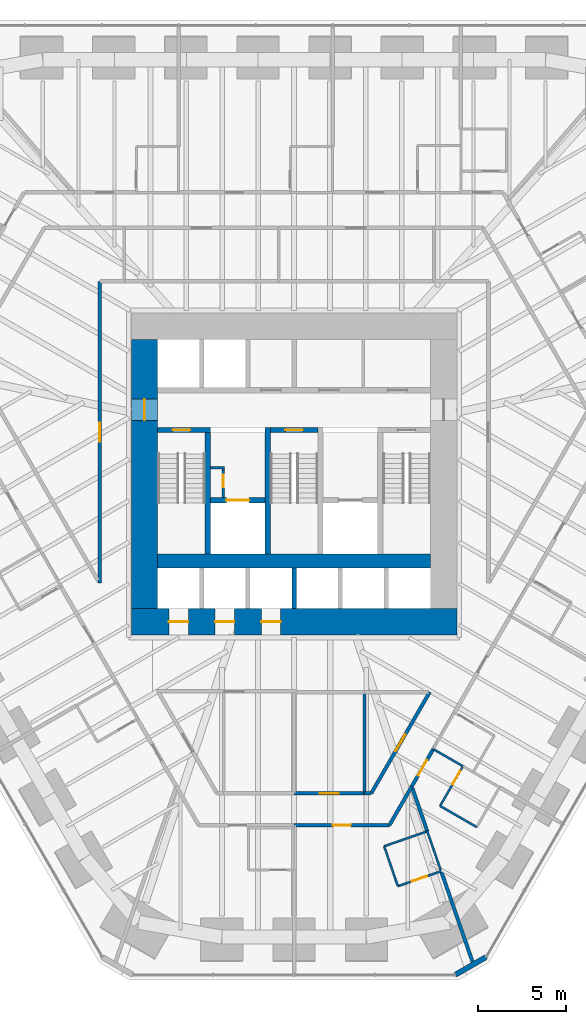
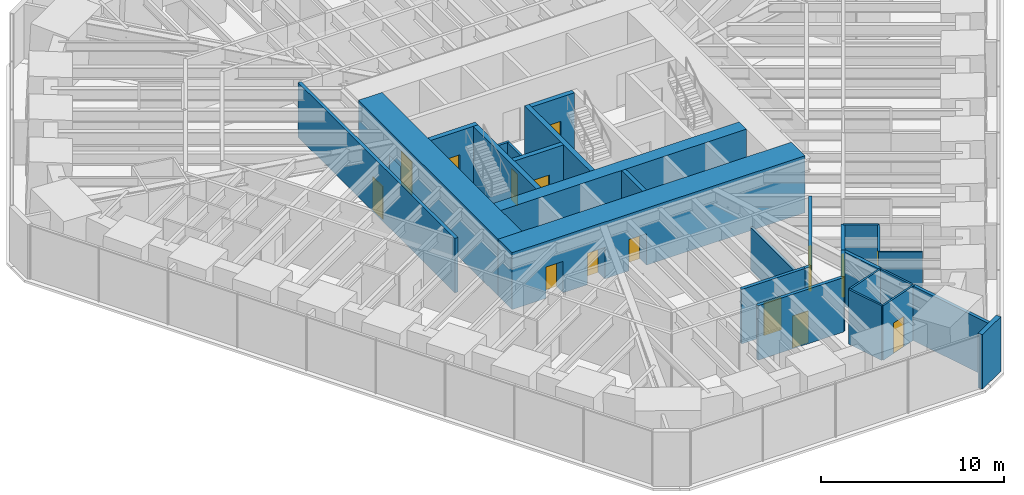
# One storey, part 12 of 17: 29 walls, 15 doors, 15 openings.
"""IFC4 building model written with IfcOpenShell, lengths in metres."""

from ifc_helpers import new_model, si_unit, direction, frame, frame_2d, origin, place, context, subcontext, project, spatial, rectangle, extrude, material, layer, layer_set, type_object, element, fill, save


model = new_model("IFC4")

# Units and contexts
model_context = context("Model", 3, precision=1e-05, world=origin(), true_north=direction((0.0, 1.0)))
body_context = subcontext(model_context, "Body", "Model", "MODEL_VIEW")
ifc_project = project(units=[si_unit("LENGTHUNIT", "METRE"), si_unit("AREAUNIT", "SQUARE_METRE"), si_unit("VOLUMEUNIT", "CUBIC_METRE"), si_unit("PLANEANGLEUNIT", "RADIAN"), si_unit("MASSUNIT", "GRAM", prefix="KILO")], contexts=[model_context])

# Site, building, storey
site_placement = place(None, origin())
site = spatial("IfcSite", under=ifc_project, at=site_placement, CompositionType="ELEMENT")
building_placement = place(site_placement, origin())
building = spatial("IfcBuilding", under=site, at=building_placement, Name="Sandreach Pilgrim Tower", CompositionType="ELEMENT")
storey_placement = place(building_placement, frame((0.0, 0.0, 72.39990234375)))
storey = spatial("IfcBuildingStorey", under=building, at=storey_placement, Name="L17", CompositionType="ELEMENT", Elevation=72.39990234375)

# Walls
ifc_material_1 = material(Name="Gypsum board on steel studs", Category="steel")
ifc_layer_1 = layer(ifc_material_1, 0.14990234375)
ifc_layer_set_1 = layer_set([ifc_layer_1], Name="Back of house wall 150")
wall_type_1 = type_object("IfcWallType", Name="Back of house wall 150", PredefinedType="PARTITIONING", material=ifc_layer_set_1)
wall_1_placement = place(storey_placement, frame((4.0, -13.949951171875, 0.0), z_axis=(0.0, 0.0, 1.0), x_axis=(0.0, -1.0, 0.0)))
element("IfcWall", 1, at=wall_1_placement, inside=storey, type_object=wall_type_1, Name="Back of house wall L17-082", PredefinedType="PARTITIONING", context=body_context, shape_type="SweptSolid", body=[
    extrude(rectangle(XDim=5.760009765625, YDim=0.14990234375, at=frame_2d((2.8798828125, 0.0))), origin(), (0.0, 0.0, 1.0), 2.878173828125),
])
ifc_material_2 = material(Name="Moisture-resistant gypsum board on steel studs", Category="steel")
ifc_layer_2 = layer(ifc_material_2, 0.1201171875)
ifc_layer_set_2 = layer_set([ifc_layer_2], Name="Bathroom partition 120")
wall_type_2 = type_object("IfcWallType", Name="Bathroom partition 120", PredefinedType="PARTITIONING", material=ifc_layer_set_2)
wall_2_placement = place(storey_placement, frame((5.1201171875, -22.7099609375, 0.0), z_axis=(0.0, 0.0, 1.0), x_axis=(0.324880771143, -0.945754981241, 0.0)))
element("IfcWall", 2, at=wall_2_placement, inside=storey, type_object=wall_type_2, Name="Bathroom partition L17-085", PredefinedType="PARTITIONING", context=body_context, shape_type="SweptSolid", body=[
    extrude(rectangle(XDim=2.400146484375, YDim=0.1201171875, at=frame_2d((1.2001953125, 0.0))), origin(), (0.0, 0.0, 1.0), 3.64013671875),
])

# Wall, opening, door
wall_3_placement = place(storey_placement, frame((5.89990234375, -24.97998046875, 0.0), z_axis=(0.0, 0.0, 1.0), x_axis=(0.945165466094, 0.326591857987, 0.0)))
wall_3 = element("IfcWall", 3, at=wall_3_placement, inside=storey, type_object=wall_type_2, Name="Bathroom partition L17-087", PredefinedType="PARTITIONING", context=body_context, shape_type="SweptSolid", body=[
    extrude(rectangle(XDim=2.60302734375, YDim=0.1201171875, at=frame_2d((1.301513671875, 0.0))), origin(), (0.0, 0.0, 1.0), 3.64013671875),
])
opening_1_placement = place(wall_3_placement, frame((0.85009765625, 0.0, 0.0)))
opening_1 = element("IfcOpeningElement", 4, at=opening_1_placement, cuts=wall_3, Name="Opening D09-11B", PredefinedType="OPENING", context=body_context, shape_type="SweptSolid", body=[
    extrude(rectangle(XDim=0.89990234375, YDim=2.030029296875, at=frame_2d((0.449951171875, 1.01513671875))), frame((0.0, 0.06005859375, 0.0), z_axis=(0.0, -1.0, 0.0), x_axis=(1.0, 0.0, 0.0)), (0.0, 0.0, 1.0), 0.1201171875),
])
ifc_material_3 = material(Name="Timber door, steel frame", Category="steel")
door_type_1 = type_object("IfcDoorType", Name="Bathroom door", OperationType="SINGLE_SWING_LEFT", PredefinedType="DOOR", material=ifc_material_3)
door_1_placement = place(opening_1_placement, origin())
door_1 = element("IfcDoor", 5, at=door_1_placement, inside=storey, type_object=door_type_1, Name="Door 1711B", OperationType="SINGLE_SWING_LEFT", OverallHeight=2.030029296875, OverallWidth=0.89990234375, PredefinedType="DOOR", context=body_context, shape_type="SweptSolid", body=[
    extrude(rectangle(XDim=0.89990234375, YDim=2.030029296875, at=frame_2d((0.449951171875, 1.01513671875))), frame((0.0, 0.02490234375, 0.0), z_axis=(0.0, -1.0, 0.0), x_axis=(1.0, 0.0, 0.0)), (0.0, 0.0, 1.0), 0.050048828125),
])
fill(opening_1, door_1)

# Walls
wall_4_placement = place(storey_placement, frame((7.570068359375, -21.860107421875, 0.0), z_axis=(0.0, 0.0, 1.0), x_axis=(-0.944782191137, -0.327698964463, 0.0)))
element("IfcWall", 6, at=wall_4_placement, inside=storey, type_object=wall_type_2, Name="Bathroom partition L17-092", PredefinedType="PARTITIONING", context=body_context, shape_type="SweptSolid", body=[
    extrude(rectangle(XDim=2.593505859375, YDim=0.1201171875, at=frame_2d((1.296875, 0.0))), origin(), (0.0, 0.0, 1.0), 3.64013671875),
])
wall_5_placement = place(storey_placement, frame((7.570068359375, -21.860107421875, 0.0), z_axis=(0.0, 0.0, 1.0), x_axis=(0.327706459026, -0.944779591605, 0.0)))
element("IfcWall", 7, at=wall_5_placement, inside=storey, type_object=wall_type_2, Name="Bathroom partition L17-093", PredefinedType="PARTITIONING", context=body_context, shape_type="SweptSolid", body=[
    extrude(rectangle(XDim=2.349609375, YDim=0.1201171875, at=frame_2d((1.1748046875, 0.0))), origin(), (0.0, 0.0, 1.0), 3.64013671875),
])
wall_6_placement = place(storey_placement, frame((7.909912109375, -17.18994140625, 0.0), z_axis=(0.0, 0.0, 1.0), x_axis=(0.8673242112, -0.497743621421, 0.0)))
element("IfcWall", 8, at=wall_6_placement, inside=storey, type_object=wall_type_2, Name="Bathroom partition L17-096", PredefinedType="PARTITIONING", context=body_context, shape_type="SweptSolid", body=[
    extrude(rectangle(XDim=1.94873046875, YDim=0.1201171875, at=frame_2d((0.974365234375, 0.0))), origin(), (0.0, 0.0, 1.0), 3.64013671875),
])
wall_7_placement = place(storey_placement, frame((8.300048828125, -20.419921875, 0.0), z_axis=(0.0, 0.0, 1.0), x_axis=(0.866177122335, -0.499737123639, 0.0)))
element("IfcWall", 9, at=wall_7_placement, inside=storey, type_object=wall_type_2, Name="Bathroom partition L17-100", PredefinedType="PARTITIONING", context=body_context, shape_type="SweptSolid", body=[
    extrude(rectangle(XDim=2.401123046875, YDim=0.1201171875, at=frame_2d((1.20068359375, 0.0))), origin(), (0.0, 0.0, 1.0), 3.64013671875),
])

# Wall, opening, door
wall_8_placement = place(storey_placement, frame((9.60009765625, -18.159912109375, 0.0), z_axis=(0.0, 0.0, 1.0), x_axis=(-0.498627694264, -0.866816256489, 0.0)))
wall_8 = element("IfcWall", 10, at=wall_8_placement, inside=storey, type_object=wall_type_2, Name="Bathroom partition L17-110", PredefinedType="PARTITIONING", context=body_context, shape_type="SweptSolid", body=[
    extrude(rectangle(XDim=2.607177734375, YDim=0.1201171875, at=frame_2d((1.3037109375, 0.0))), origin(), (0.0, 0.0, 1.0), 3.64013671875),
])
opening_2_placement = place(wall_8_placement, frame((0.300048828125, 0.0, 0.0)))
opening_2 = element("IfcOpeningElement", 11, at=opening_2_placement, cuts=wall_8, Name="Opening D09-10B", PredefinedType="OPENING", context=body_context, shape_type="SweptSolid", body=[
    extrude(rectangle(XDim=0.89990234375, YDim=2.030029296875, at=frame_2d((0.449951171875, 1.01513671875))), frame((0.0, 0.06005859375, 0.0), z_axis=(0.0, -1.0, 0.0), x_axis=(1.0, 0.0, 0.0)), (0.0, 0.0, 1.0), 0.1201171875),
])
door_2_placement = place(opening_2_placement, origin())
door_2 = element("IfcDoor", 12, at=door_2_placement, inside=storey, type_object=door_type_1, Name="Door 1710B", OperationType="SINGLE_SWING_LEFT", OverallHeight=2.030029296875, OverallWidth=0.89990234375, PredefinedType="DOOR", context=body_context, shape_type="SweptSolid", body=[
    extrude(rectangle(XDim=0.89990234375, YDim=2.030029296875, at=frame_2d((0.449951171875, 1.01513671875))), frame((0.0, 0.02490234375, 0.0), z_axis=(0.0, -1.0, 0.0), x_axis=(1.0, 0.0, 0.0)), (0.0, 0.0, 1.0), 0.050048828125),
])
fill(opening_2, door_2)

# Walls
ifc_material_4 = material(Name="Concrete 10000 psi", Category="concrete")
ifc_layer_3 = layer(ifc_material_4, 0.300048828125)
ifc_layer_set_3 = layer_set([ifc_layer_3], Name="Core inner wall 300")
wall_type_3 = type_object("IfcWallType", Name="Core inner wall 300", PredefinedType="SHEAR", material=ifc_layer_set_3)
for number, where, z_axis, x_axis, name in (
    (13, (-4.89990234375, -6.10009765625, 0.0), (0.0, 0.0, 1.0), (0.0, 1.0, 0.0), "Core wall I0 L17"),
    (14, (-1.5, -6.10009765625, 0.0), (0.0, 0.0, 1.0), (0.0, 1.0, 0.0), "Core wall I1 L17"),
):
    element("IfcWall", number, at=place(storey_placement, frame(where, z_axis=z_axis, x_axis=x_axis)), inside=storey, type_object=wall_type_3, Name=name, PredefinedType="SHEAR", context=body_context, shape_type="SweptSolid", body=[
        extrude(rectangle(XDim=7.2001953125, YDim=0.300048828125, at=frame_2d((3.60009765625, 0.0))), origin(), (0.0, 0.0, 1.0), 3.800048828125),
    ])

# Wall, opening, door
wall_9_placement = place(storey_placement, frame((-7.75, 0.949951171875, 0.0), z_axis=(0.0, 0.0, 1.0), x_axis=(1.0, 0.0, 0.0)))
wall_9 = element("IfcWall", 15, at=wall_9_placement, inside=storey, type_object=wall_type_3, Name="Core wall SN1 L17", PredefinedType="SHEAR", context=body_context, shape_type="SweptSolid", body=[
    extrude(rectangle(XDim=3.0, YDim=0.300048828125, at=frame_2d((1.5, 0.0))), origin(), (0.0, 0.0, 1.0), 3.800048828125),
])
opening_3_placement = place(wall_9_placement, frame((0.85009765625, 0.0, 0.0)))
opening_3 = element("IfcOpeningElement", 16, at=opening_3_placement, cuts=wall_9, Name="Opening D10S-ST1", PredefinedType="OPENING", context=body_context, shape_type="SweptSolid", body=[
    extrude(rectangle(XDim=1.0, YDim=2.199951171875, at=frame_2d((0.5, 1.10009765625))), frame((0.0, 0.14990234375, 0.0), z_axis=(0.0, -1.0, 0.0), x_axis=(1.0, 0.0, 0.0)), (0.0, 0.0, 1.0), 0.300048828125),
])
ifc_material_5 = material(Name="Steel door and frame", Category="steel")
door_type_2 = type_object("IfcDoorType", Name="Stair door", OperationType="SINGLE_SWING_LEFT", PredefinedType="DOOR", material=ifc_material_5)
door_3_placement = place(opening_3_placement, origin())
door_3 = element("IfcDoor", 17, at=door_3_placement, inside=storey, type_object=door_type_2, Name="Stair door ST1 L17", OperationType="SINGLE_SWING_LEFT", OverallHeight=2.199951171875, OverallWidth=1.0, PredefinedType="DOOR", context=body_context, shape_type="SweptSolid", body=[
    extrude(rectangle(XDim=1.0, YDim=2.199951171875, at=frame_2d((0.5, 1.10009765625))), frame((0.0, 0.02490234375, 0.0), z_axis=(0.0, -1.0, 0.0), x_axis=(1.0, 0.0, 0.0)), (0.0, 0.0, 1.0), 0.050048828125),
])
fill(opening_3, door_3)

wall_10_placement = place(storey_placement, frame((-1.35009765625, 0.949951171875, 0.0), z_axis=(0.0, 0.0, 1.0), x_axis=(1.0, 0.0, 0.0)))
wall_10 = element("IfcWall", 18, at=wall_10_placement, inside=storey, type_object=wall_type_3, Name="Core wall SN3 L17", PredefinedType="SHEAR", context=body_context, shape_type="SweptSolid", body=[
    extrude(rectangle(XDim=2.7001953125, YDim=0.300048828125, at=frame_2d((1.35009765625, 0.0))), origin(), (0.0, 0.0, 1.0), 3.800048828125),
])
opening_4_placement = place(wall_10_placement, frame((0.85009765625, 0.0, 0.0)))
opening_4 = element("IfcOpeningElement", 19, at=opening_4_placement, cuts=wall_10, Name="Opening D10S-ST3", PredefinedType="OPENING", context=body_context, shape_type="SweptSolid", body=[
    extrude(rectangle(XDim=1.0, YDim=2.199951171875, at=frame_2d((0.5, 1.10009765625))), frame((0.0, 0.14990234375, 0.0), z_axis=(0.0, -1.0, 0.0), x_axis=(1.0, 0.0, 0.0)), (0.0, 0.0, 1.0), 0.300048828125),
])
door_4_placement = place(opening_4_placement, origin())
door_4 = element("IfcDoor", 20, at=door_4_placement, inside=storey, type_object=door_type_2, Name="Stair door ST3 L17", OperationType="SINGLE_SWING_LEFT", OverallHeight=2.199951171875, OverallWidth=1.0, PredefinedType="DOOR", context=body_context, shape_type="SweptSolid", body=[
    extrude(rectangle(XDim=1.0, YDim=2.199951171875, at=frame_2d((0.5, 1.10009765625))), frame((0.0, 0.02490234375, 0.0), z_axis=(0.0, -1.0, 0.0), x_axis=(1.0, 0.0, 0.0)), (0.0, 0.0, 1.0), 0.050048828125),
])
fill(opening_4, door_4)

wall_11_placement = place(storey_placement, frame((-4.75, -3.050048828125, 0.0), z_axis=(0.0, 0.0, 1.0), x_axis=(1.0, 0.0, 0.0)))
wall_11 = element("IfcWall", 21, at=wall_11_placement, inside=storey, type_object=wall_type_3, Name="Core wall FL1 L17", PredefinedType="SHEAR", context=body_context, shape_type="SweptSolid", body=[
    extrude(rectangle(XDim=3.10009765625, YDim=0.300048828125, at=frame_2d((1.550048828125, 0.0))), origin(), (0.0, 0.0, 1.0), 3.800048828125),
])
opening_5_placement = place(wall_11_placement, frame((0.89990234375, 0.0, 0.0)))
opening_5 = element("IfcOpeningElement", 22, at=opening_5_placement, cuts=wall_11, Name="Opening LD13", PredefinedType="OPENING", context=body_context, shape_type="SweptSolid", body=[
    extrude(rectangle(XDim=1.300048828125, YDim=2.10009765625, at=frame_2d((0.64990234375, 1.050048828125))), frame((0.0, 0.14990234375, 0.0), z_axis=(0.0, -1.0, 0.0), x_axis=(1.0, 0.0, 0.0)), (0.0, 0.0, 1.0), 0.300048828125),
])
ifc_material_6 = material(Name="Steel door and frame", Category="steel")
door_type_3 = type_object("IfcDoorType", Name="Fire service lift landing door", OperationType="DOUBLE_DOOR_SLIDING", PredefinedType="DOOR", material=ifc_material_6)
door_5_placement = place(opening_5_placement, origin())
door_5 = element("IfcDoor", 23, at=door_5_placement, inside=storey, type_object=door_type_3, Name="Lift landing door FS1 L17", OperationType="DOUBLE_DOOR_SLIDING", OverallHeight=2.10009765625, OverallWidth=1.300048828125, PredefinedType="DOOR", context=body_context, shape_type="SweptSolid", body=[
    extrude(rectangle(XDim=1.300048828125, YDim=2.10009765625, at=frame_2d((0.64990234375, 1.050048828125))), frame((0.0, 0.02490234375, 0.0), z_axis=(0.0, -1.0, 0.0), x_axis=(1.0, 0.0, 0.0)), (0.0, 0.0, 1.0), 0.050048828125),
])
fill(opening_5, door_5)

# Wall
ifc_material_7 = material(Name="Concrete 10000 psi", Category="concrete")
ifc_layer_4 = layer(ifc_material_7, 0.800048828125)
ifc_layer_set_4 = layer_set([ifc_layer_4], Name="Core mid wall 800")
wall_type_4 = type_object("IfcWallType", Name="Core mid wall 800", PredefinedType="SHEAR", material=ifc_layer_set_4)
wall_12_placement = place(storey_placement, frame((-7.75, -6.5, 0.0), z_axis=(0.0, 0.0, 1.0), x_axis=(1.0, 0.0, 0.0)))
element("IfcWall", 24, at=wall_12_placement, inside=storey, type_object=wall_type_4, Name="Core wall M L17", PredefinedType="SHEAR", context=body_context, shape_type="SweptSolid", body=[
    extrude(rectangle(XDim=15.5, YDim=0.800048828125, at=frame_2d((7.75, 0.0))), origin(), (0.0, 0.0, 1.0), 3.800048828125),
])

# Wall, openings, doors
ifc_material_8 = material(Name="Concrete 10000 psi", Category="concrete")
ifc_layer_5 = layer(ifc_material_8, 1.5)
ifc_layer_set_5 = layer_set([ifc_layer_5], Name="Core wall 1500")
wall_type_5 = type_object("IfcWallType", Name="Core wall 1500", PredefinedType="SHEAR", material=ifc_layer_set_5)
wall_13_placement = place(storey_placement, frame((-9.25, -9.949951171875, 0.0), z_axis=(0.0, 0.0, 1.0), x_axis=(1.0, 0.0, 0.0)))
wall_13 = element("IfcWall", 25, at=wall_13_placement, inside=storey, type_object=wall_type_5, Name="Core wall S L17", PredefinedType="SHEAR", context=body_context, shape_type="SweptSolid", body=[
    extrude(rectangle(XDim=18.5, YDim=1.5, at=frame_2d((9.25, 0.0))), origin(), (0.0, 0.0, 1.0), 3.800048828125),
])
opening_6_placement = place(wall_13_placement, frame((2.137451171875, 0.0, 0.0)))
opening_6 = element("IfcOpeningElement", 26, at=opening_6_placement, cuts=wall_13, Name="Opening LD11", PredefinedType="OPENING", context=body_context, shape_type="SweptSolid", body=[
    extrude(rectangle(XDim=1.10009765625, YDim=2.10009765625, at=frame_2d((0.550048828125, 1.050048828125))), frame((0.0, 0.75, 0.0), z_axis=(0.0, -1.0, 0.0), x_axis=(1.0, 0.0, 0.0)), (0.0, 0.0, 1.0), 1.5),
])
opening_7_placement = place(wall_13_placement, frame((4.762451171875, 0.0, 0.0)))
opening_7 = element("IfcOpeningElement", 27, at=opening_7_placement, cuts=wall_13, Name="Opening LD11", PredefinedType="OPENING", context=body_context, shape_type="SweptSolid", body=[
    extrude(rectangle(XDim=1.10009765625, YDim=2.10009765625, at=frame_2d((0.550048828125, 1.050048828125))), frame((0.0, 0.75, 0.0), z_axis=(0.0, -1.0, 0.0), x_axis=(1.0, 0.0, 0.0)), (0.0, 0.0, 1.0), 1.5),
])
opening_8_placement = place(wall_13_placement, frame((7.387451171875, 0.0, 0.0)))
opening_8 = element("IfcOpeningElement", 28, at=opening_8_placement, cuts=wall_13, Name="Opening LD11", PredefinedType="OPENING", context=body_context, shape_type="SweptSolid", body=[
    extrude(rectangle(XDim=1.10009765625, YDim=2.10009765625, at=frame_2d((0.550048828125, 1.050048828125))), frame((0.0, 0.75, 0.0), z_axis=(0.0, -1.0, 0.0), x_axis=(1.0, 0.0, 0.0)), (0.0, 0.0, 1.0), 1.5),
])
ifc_material_9 = material(Name="Steel door and frame", Category="steel")
door_type_4 = type_object("IfcDoorType", Name="Lift landing door", OperationType="DOUBLE_DOOR_SLIDING", PredefinedType="DOOR", material=ifc_material_9)
door_6_placement = place(opening_6_placement, origin())
door_6 = element("IfcDoor", 29, at=door_6_placement, inside=storey, type_object=door_type_4, Name="Lift landing door Z1A L17", OperationType="DOUBLE_DOOR_SLIDING", OverallHeight=2.10009765625, OverallWidth=1.10009765625, PredefinedType="DOOR", context=body_context, shape_type="SweptSolid", body=[
    extrude(rectangle(XDim=1.10009765625, YDim=2.10009765625, at=frame_2d((0.550048828125, 1.050048828125))), frame((0.0, 0.02490234375, 0.0), z_axis=(0.0, -1.0, 0.0), x_axis=(1.0, 0.0, 0.0)), (0.0, 0.0, 1.0), 0.050048828125),
])
fill(opening_6, door_6)
door_7_placement = place(opening_7_placement, origin())
door_7 = element("IfcDoor", 30, at=door_7_placement, inside=storey, type_object=door_type_4, Name="Lift landing door Z1B L17", OperationType="DOUBLE_DOOR_SLIDING", OverallHeight=2.10009765625, OverallWidth=1.10009765625, PredefinedType="DOOR", context=body_context, shape_type="SweptSolid", body=[
    extrude(rectangle(XDim=1.10009765625, YDim=2.10009765625, at=frame_2d((0.550048828125, 1.050048828125))), frame((0.0, 0.02490234375, 0.0), z_axis=(0.0, -1.0, 0.0), x_axis=(1.0, 0.0, 0.0)), (0.0, 0.0, 1.0), 0.050048828125),
])
fill(opening_7, door_7)
door_8_placement = place(opening_8_placement, origin())
door_8 = element("IfcDoor", 31, at=door_8_placement, inside=storey, type_object=door_type_4, Name="Lift landing door Z1C L17", OperationType="DOUBLE_DOOR_SLIDING", OverallHeight=2.10009765625, OverallWidth=1.10009765625, PredefinedType="DOOR", context=body_context, shape_type="SweptSolid", body=[
    extrude(rectangle(XDim=1.10009765625, YDim=2.10009765625, at=frame_2d((0.550048828125, 1.050048828125))), frame((0.0, 0.02490234375, 0.0), z_axis=(0.0, -1.0, 0.0), x_axis=(1.0, 0.0, 0.0)), (0.0, 0.0, 1.0), 0.050048828125),
])
fill(opening_8, door_8)

# Wall, opening, door
wall_14_placement = place(storey_placement, frame((-8.5, -9.199951171875, 0.0), z_axis=(0.0, 0.0, 1.0), x_axis=(0.0, 1.0, 0.0)))
wall_14 = element("IfcWall", 32, at=wall_14_placement, inside=storey, type_object=wall_type_5, Name="Core wall W L17", PredefinedType="SHEAR", context=body_context, shape_type="SweptSolid", body=[
    extrude(rectangle(XDim=15.300048828125, YDim=1.5, at=frame_2d((7.64990234375, 0.0))), origin(), (0.0, 0.0, 1.0), 3.800048828125),
])
opening_9_placement = place(wall_14_placement, frame((10.699951171875, 0.0, 0.0)))
opening_9 = element("IfcOpeningElement", 33, at=opening_9_placement, cuts=wall_14, Name="Opening D12F-W", PredefinedType="OPENING", context=body_context, shape_type="SweptSolid", body=[
    extrude(rectangle(XDim=1.199951171875, YDim=2.199951171875, at=frame_2d((0.60009765625, 1.10009765625))), frame((0.0, 0.75, 0.0), z_axis=(0.0, -1.0, 0.0), x_axis=(1.0, 0.0, 0.0)), (0.0, 0.0, 1.0), 1.5),
])
ifc_material_10 = material(Name="Steel door and frame", Category="steel")
door_type_5 = type_object("IfcDoorType", Name="Fire lobby door", OperationType="SINGLE_SWING_LEFT", PredefinedType="DOOR", material=ifc_material_10)
door_9_placement = place(opening_9_placement, origin())
door_9 = element("IfcDoor", 34, at=door_9_placement, inside=storey, type_object=door_type_5, Name="Fire service lobby door W L17", OperationType="SINGLE_SWING_RIGHT", OverallHeight=2.199951171875, OverallWidth=1.199951171875, PredefinedType="DOOR", context=body_context, shape_type="SweptSolid", body=[
    extrude(rectangle(XDim=1.199951171875, YDim=2.199951171875, at=frame_2d((0.60009765625, 1.10009765625))), frame((0.0, 0.02490234375, 0.0), z_axis=(0.0, -1.0, 0.0), x_axis=(1.0, 0.0, 0.0)), (0.0, 0.0, 1.0), 0.050048828125),
])
fill(opening_9, door_9)

ifc_material_11 = material(Name="Gypsum board on steel studs, two layers each side", Category="steel")
ifc_layer_6 = layer(ifc_material_11, 0.199951171875)
ifc_layer_set_6 = layer_set([ifc_layer_6], Name="Corridor wall 200")
wall_type_6 = type_object("IfcWallType", Name="Corridor wall 200", PredefinedType="PARTITIONING", material=ifc_layer_set_6)
wall_15_placement = place(storey_placement, frame((-11.050048828125, 9.39990234375, 0.0), z_axis=(0.0, 0.0, 1.0), x_axis=(0.0, -1.0, 0.0)))
wall_15 = element("IfcWall", 35, at=wall_15_placement, inside=storey, type_object=wall_type_6, Name="Corridor wall L17-043", PredefinedType="PARTITIONING", context=body_context, shape_type="SweptSolid", body=[
    extrude(rectangle(XDim=17.159912109375, YDim=0.199951171875, at=frame_2d((8.580078125, 0.0))), origin(), (0.0, 0.0, 1.0), 3.64013671875),
])
opening_10_placement = place(wall_15_placement, frame((8.030029296875, 0.0, 0.0)))
opening_10 = element("IfcOpeningElement", 36, at=opening_10_placement, cuts=wall_15, Name="Opening D11H-M01", PredefinedType="OPENING", context=body_context, shape_type="SweptSolid", body=[
    extrude(rectangle(XDim=1.10009765625, YDim=2.199951171875, at=frame_2d((0.550048828125, 1.10009765625))), frame((0.0, 0.10009765625, 0.0), z_axis=(0.0, -1.0, 0.0), x_axis=(1.0, 0.0, 0.0)), (0.0, 0.0, 1.0), 0.199951171875),
])
ifc_material_12 = material(Name="Steel door and frame", Category="steel")
door_type_6 = type_object("IfcDoorType", Name="Back of house door", OperationType="SINGLE_SWING_LEFT", PredefinedType="DOOR", material=ifc_material_12)
door_10_placement = place(opening_10_placement, origin())
door_10 = element("IfcDoor", 37, at=door_10_placement, inside=storey, type_object=door_type_6, Name="Door 17M01", OperationType="SINGLE_SWING_LEFT", OverallHeight=2.199951171875, OverallWidth=1.10009765625, PredefinedType="DOOR", context=body_context, shape_type="SweptSolid", body=[
    extrude(rectangle(XDim=1.10009765625, YDim=2.199951171875, at=frame_2d((0.550048828125, 1.10009765625))), frame((0.0, 0.02490234375, 0.0), z_axis=(0.0, -1.0, 0.0), x_axis=(1.0, 0.0, 0.0)), (0.0, 0.0, 1.0), 0.050048828125),
])
fill(opening_10, door_10)

wall_16_placement = place(storey_placement, frame((0.0, -21.510009765625, 0.0), z_axis=(0.0, 0.0, 1.0), x_axis=(1.0, 0.0, 0.0)))
wall_16 = element("IfcWall", 38, at=wall_16_placement, inside=storey, type_object=wall_type_6, Name="Corridor wall L17-072", PredefinedType="PARTITIONING", context=body_context, shape_type="SweptSolid", body=[
    extrude(rectangle(XDim=5.419921875, YDim=0.199951171875, at=frame_2d((2.7099609375, 0.0))), origin(), (0.0, 0.0, 1.0), 3.64013671875),
])
opening_11_placement = place(wall_16_placement, frame((2.2099609375, 0.0, 0.0)))
opening_11 = element("IfcOpeningElement", 39, at=opening_11_placement, cuts=wall_16, Name="Opening D10-11", PredefinedType="OPENING", context=body_context, shape_type="SweptSolid", body=[
    extrude(rectangle(XDim=1.0, YDim=2.1298828125, at=frame_2d((0.5, 1.06494140625))), frame((0.0, 0.10009765625, 0.0), z_axis=(0.0, -1.0, 0.0), x_axis=(1.0, 0.0, 0.0)), (0.0, 0.0, 1.0), 0.199951171875),
])
ifc_material_13 = material(Name="Steel door and frame", Category="steel")
door_type_7 = type_object("IfcDoorType", Name="Guest room entry door", OperationType="SINGLE_SWING_LEFT", PredefinedType="DOOR", material=ifc_material_13)
door_11_placement = place(opening_11_placement, origin())
door_11 = element("IfcDoor", 40, at=door_11_placement, inside=storey, type_object=door_type_7, Name="Door 1711", OperationType="SINGLE_SWING_LEFT", OverallHeight=2.1298828125, OverallWidth=1.0, PredefinedType="DOOR", context=body_context, shape_type="SweptSolid", body=[
    extrude(rectangle(XDim=1.0, YDim=2.1298828125, at=frame_2d((0.5, 1.06494140625))), frame((0.0, 0.02490234375, 0.0), z_axis=(0.0, -1.0, 0.0), x_axis=(1.0, 0.0, 0.0)), (0.0, 0.0, 1.0), 0.050048828125),
])
fill(opening_11, door_11)

wall_17_placement = place(storey_placement, frame((4.0, -19.7099609375, 0.0), z_axis=(0.0, 0.0, 1.0), x_axis=(-1.0, 0.0, 0.0)))
wall_17 = element("IfcWall", 41, at=wall_17_placement, inside=storey, type_object=wall_type_6, Name="Corridor wall L17-081", PredefinedType="PARTITIONING", context=body_context, shape_type="SweptSolid", body=[
    extrude(rectangle(XDim=4.0, YDim=0.199951171875, at=frame_2d((2.0, 0.0))), origin(), (0.0, 0.0, 1.0), 3.64013671875),
])
opening_12_placement = place(wall_17_placement, frame((1.449951171875, 0.0, 0.0)))
opening_12 = element("IfcOpeningElement", 42, at=opening_12_placement, cuts=wall_17, Name="Opening D11H-S3", PredefinedType="OPENING", context=body_context, shape_type="SweptSolid", body=[
    extrude(rectangle(XDim=1.10009765625, YDim=2.199951171875, at=frame_2d((0.550048828125, 1.10009765625))), frame((0.0, 0.10009765625, 0.0), z_axis=(0.0, -1.0, 0.0), x_axis=(1.0, 0.0, 0.0)), (0.0, 0.0, 1.0), 0.199951171875),
])
door_12_placement = place(opening_12_placement, origin())
door_12 = element("IfcDoor", 43, at=door_12_placement, inside=storey, type_object=door_type_6, Name="Door 17S3", OperationType="SINGLE_SWING_LEFT", OverallHeight=2.199951171875, OverallWidth=1.10009765625, PredefinedType="DOOR", context=body_context, shape_type="SweptSolid", body=[
    extrude(rectangle(XDim=1.10009765625, YDim=2.199951171875, at=frame_2d((0.550048828125, 1.10009765625))), frame((0.0, 0.02490234375, 0.0), z_axis=(0.0, -1.0, 0.0), x_axis=(1.0, 0.0, 0.0)), (0.0, 0.0, 1.0), 0.050048828125),
])
fill(opening_12, door_12)

# Walls
wall_18_placement = place(storey_placement, frame((4.3798828125, -19.7099609375, 0.0), z_axis=(0.0, 0.0, 1.0), x_axis=(-1.0, 0.0, 0.0)))
element("IfcWall", 44, at=wall_18_placement, inside=storey, type_object=wall_type_6, Name="Corridor wall L17-084", PredefinedType="PARTITIONING", context=body_context, shape_type="SweptSolid", body=[
    extrude(rectangle(XDim=0.3798828125, YDim=0.199951171875, at=frame_2d((0.18994140625, 0.0))), origin(), (0.0, 0.0, 1.0), 3.64013671875),
])
wall_19_placement = place(storey_placement, frame((5.419921875, -21.510009765625, 0.0), z_axis=(0.0, 0.0, 1.0), x_axis=(0.499963722229, 0.866046347752, 0.0)))
element("IfcWall", 45, at=wall_19_placement, inside=storey, type_object=wall_type_6, Name="Corridor wall L17-086", PredefinedType="PARTITIONING", context=body_context, shape_type="SweptSolid", body=[
    extrude(rectangle(XDim=2.540283203125, YDim=0.199951171875, at=frame_2d((1.27001953125, 0.0))), origin(), (0.0, 0.0, 1.0), 3.64013671875),
])

# Wall, opening, door
wall_20_placement = place(storey_placement, frame((6.68994140625, -19.31005859375, 0.0), z_axis=(0.0, 0.0, 1.0), x_axis=(0.498748634132, 0.866746675766, 0.0)))
wall_20 = element("IfcWall", 46, at=wall_20_placement, inside=storey, type_object=wall_type_6, Name="Corridor wall L17-088", PredefinedType="PARTITIONING", context=body_context, shape_type="SweptSolid", body=[
    extrude(rectangle(XDim=2.446044921875, YDim=0.199951171875, at=frame_2d((1.22314453125, 0.0))), origin(), (0.0, 0.0, 1.0), 3.64013671875),
])
opening_13_placement = place(wall_20_placement, frame((0.722900390625, 0.0, 0.0)))
opening_13 = element("IfcOpeningElement", 47, at=opening_13_placement, cuts=wall_20, Name="Opening D10-10", PredefinedType="OPENING", context=body_context, shape_type="SweptSolid", body=[
    extrude(rectangle(XDim=1.0, YDim=2.1298828125, at=frame_2d((0.5, 1.06494140625))), frame((0.0, 0.10009765625, 0.0), z_axis=(0.0, -1.0, 0.0), x_axis=(1.0, 0.0, 0.0)), (0.0, 0.0, 1.0), 0.199951171875),
])
door_13_placement = place(opening_13_placement, origin())
door_13 = element("IfcDoor", 48, at=door_13_placement, inside=storey, type_object=door_type_7, Name="Door 1710", OperationType="SINGLE_SWING_LEFT", OverallHeight=2.1298828125, OverallWidth=1.0, PredefinedType="DOOR", context=body_context, shape_type="SweptSolid", body=[
    extrude(rectangle(XDim=1.0, YDim=2.1298828125, at=frame_2d((0.5, 1.06494140625))), frame((0.0, 0.02490234375, 0.0), z_axis=(0.0, -1.0, 0.0), x_axis=(1.0, 0.0, 0.0)), (0.0, 0.0, 1.0), 0.050048828125),
])
fill(opening_13, door_13)

wall_21_placement = place(storey_placement, frame((7.7099609375, -13.949951171875, 0.0), z_axis=(0.0, 0.0, 1.0), x_axis=(-0.500511113963, -0.865730110831, 0.0)))
wall_21 = element("IfcWall", 49, at=wall_21_placement, inside=storey, type_object=wall_type_6, Name="Corridor wall L17-094", PredefinedType="PARTITIONING", context=body_context, shape_type="SweptSolid", body=[
    extrude(rectangle(XDim=6.6533203125, YDim=0.199951171875, at=frame_2d((3.32666015625, 0.0))), origin(), (0.0, 0.0, 1.0), 3.64013671875),
])
opening_14_placement = place(wall_21_placement, frame((2.776611328125, 0.0, 0.0)))
opening_14 = element("IfcOpeningElement", 50, at=opening_14_placement, cuts=wall_21, Name="Opening D11H-S4", PredefinedType="OPENING", context=body_context, shape_type="SweptSolid", body=[
    extrude(rectangle(XDim=1.10009765625, YDim=2.199951171875, at=frame_2d((0.550048828125, 1.10009765625))), frame((0.0, 0.10009765625, 0.0), z_axis=(0.0, -1.0, 0.0), x_axis=(1.0, 0.0, 0.0)), (0.0, 0.0, 1.0), 0.199951171875),
])
door_14_placement = place(opening_14_placement, origin())
door_14 = element("IfcDoor", 51, at=door_14_placement, inside=storey, type_object=door_type_6, Name="Door 17S4", OperationType="SINGLE_SWING_LEFT", OverallHeight=2.199951171875, OverallWidth=1.10009765625, PredefinedType="DOOR", context=body_context, shape_type="SweptSolid", body=[
    extrude(rectangle(XDim=1.10009765625, YDim=2.199951171875, at=frame_2d((0.550048828125, 1.10009765625))), frame((0.0, 0.02490234375, 0.0), z_axis=(0.0, -1.0, 0.0), x_axis=(1.0, 0.0, 0.0)), (0.0, 0.0, 1.0), 0.050048828125),
])
fill(opening_14, door_14)

# Walls
ifc_material_14 = material(Name="Double steel stud acoustic wall, gypsum board", Category="steel")
ifc_layer_7 = layer(ifc_material_14, 0.199951171875)
ifc_layer_set_7 = layer_set([ifc_layer_7], Name="Party wall 200")
wall_type_7 = type_object("IfcWallType", Name="Party wall 200", PredefinedType="PARTITIONING", material=ifc_layer_set_7)
wall_22_placement = place(storey_placement, frame((6.724365234375, -19.4091796875, 0.0), z_axis=(0.0, 0.0, 1.0), x_axis=(0.326182205696, -0.945306917719, 0.0)))
element("IfcWall", 52, at=wall_22_placement, inside=storey, type_object=wall_type_7, Name="Party wall L17-089", PredefinedType="PARTITIONING", context=body_context, shape_type="SweptSolid", body=[
    extrude(rectangle(XDim=2.5927734375, YDim=0.199951171875, at=frame_2d((1.29638671875, 0.0))), origin(), (0.0, 0.0, 1.0), 3.64013671875),
])
wall_23_placement = place(storey_placement, frame((8.360107421875, -24.1298828125, 0.0), z_axis=(0.0, 0.0, 1.0), x_axis=(0.327332811485, -0.944909112309, 0.0)))
element("IfcWall", 53, at=wall_23_placement, inside=storey, type_object=wall_type_7, Name="Party wall L17-101", PredefinedType="PARTITIONING", context=body_context, shape_type="SweptSolid", body=[
    extrude(rectangle(XDim=5.621337890625, YDim=0.199951171875, at=frame_2d((2.810546875, 0.0))), origin(), (0.0, 0.0, 1.0), 3.64013671875),
])

# Wall, opening, door
ifc_material_15 = material(Name="Gypsum shaft wall on steel studs, shaft liner board", Category="steel")
ifc_layer_8 = layer(ifc_material_15, 0.14990234375)
ifc_layer_set_8 = layer_set([ifc_layer_8], Name="Riser shaft wall 150")
wall_type_8 = type_object("IfcWallType", Name="Riser shaft wall 150", PredefinedType="PARTITIONING", material=ifc_layer_set_8)
wall_24_placement = place(storey_placement, frame((-4.02490234375, -2.89990234375, 0.0), z_axis=(0.0, 0.0, 1.0), x_axis=(0.0, 1.0, 0.0)))
wall_24 = element("IfcWall", 54, at=wall_24_placement, inside=storey, type_object=wall_type_8, Name="Riser partition L17 side", PredefinedType="PARTITIONING", context=body_context, shape_type="SweptSolid", body=[
    extrude(rectangle(XDim=1.77490234375, YDim=0.14990234375, at=frame_2d((0.887451171875, 0.0))), origin(), (0.0, 0.0, 1.0), 3.64013671875),
])
opening_15_placement = place(wall_24_placement, frame((0.60009765625, 0.0, 0.0)))
opening_15 = element("IfcOpeningElement", 55, at=opening_15_placement, cuts=wall_24, Name="Opening D07R", PredefinedType="OPENING", context=body_context, shape_type="SweptSolid", body=[
    extrude(rectangle(XDim=0.699951171875, YDim=2.10009765625, at=frame_2d((0.35009765625, 1.050048828125))), frame((0.0, 0.074951171875, 0.0), z_axis=(0.0, -1.0, 0.0), x_axis=(1.0, 0.0, 0.0)), (0.0, 0.0, 1.0), 0.14990234375),
])
ifc_material_16 = material(Name="Steel door and frame, smoke seals", Category="steel")
door_type_8 = type_object("IfcDoorType", Name="Riser access door", OperationType="SINGLE_SWING_RIGHT", PredefinedType="DOOR", material=ifc_material_16)
door_15_placement = place(opening_15_placement, origin())
door_15 = element("IfcDoor", 56, at=door_15_placement, inside=storey, type_object=door_type_8, Name="Door riser 17ER", OperationType="SINGLE_SWING_RIGHT", OverallHeight=2.10009765625, OverallWidth=0.699951171875, PredefinedType="DOOR", context=body_context, shape_type="SweptSolid", body=[
    extrude(rectangle(XDim=0.699951171875, YDim=2.10009765625, at=frame_2d((0.35009765625, 1.050048828125))), frame((0.0, 0.02490234375, 0.0), z_axis=(0.0, -1.0, 0.0), x_axis=(1.0, 0.0, 0.0)), (0.0, 0.0, 1.0), 0.050048828125),
])
fill(opening_15, door_15)

# Walls
wall_25_placement = place(storey_placement, frame((-4.75, -1.199951171875, 0.0), z_axis=(0.0, 0.0, 1.0), x_axis=(1.0, 0.0, 0.0)))
element("IfcWall", 57, at=wall_25_placement, inside=storey, type_object=wall_type_8, Name="Riser partition L17 front", PredefinedType="PARTITIONING", context=body_context, shape_type="SweptSolid", body=[
    extrude(rectangle(XDim=0.800048828125, YDim=0.14990234375, at=frame_2d((0.39990234375, 0.0))), origin(), (0.0, 0.0, 1.0), 3.64013671875),
])
ifc_material_17 = material(Name="Gypsum shaft wall on steel studs, two layers of shaft liner board", Category="steel")
ifc_layer_9 = layer(ifc_material_17, 0.25)
ifc_layer_set_9 = layer_set([ifc_layer_9], Name="Shaft partition 250")
wall_type_9 = type_object("IfcWallType", Name="Shaft partition 250", PredefinedType="PARTITIONING", material=ifc_layer_set_9)
wall_26_placement = place(storey_placement, frame((0.0, -9.199951171875, 0.0), z_axis=(0.0, 0.0, 1.0), x_axis=(0.0, 1.0, 0.0)))
element("IfcWall", 58, at=wall_26_placement, inside=storey, type_object=wall_type_9, Name="Shaft partition XS2 L17", PredefinedType="PARTITIONING", context=body_context, shape_type="SweptSolid", body=[
    extrude(rectangle(XDim=2.300048828125, YDim=0.25, at=frame_2d((1.14990234375, 0.0))), origin(), (0.0, 0.0, 1.0), 3.800048828125),
])
ifc_material_18 = material(Name="Terracotta rainscreen on concrete", Category="masonry")
ifc_layer_10 = layer(ifc_material_18, 0.300048828125)
ifc_layer_set_10 = layer_set([ifc_layer_10], Name="Terracotta chamfer pier")
wall_type_10 = type_object("IfcWallType", Name="Terracotta chamfer pier", PredefinedType="SOLIDWALL", material=ifc_layer_set_10)
wall_27_placement = place(storey_placement, frame((10.904052734375, -29.010986328125, 0.0), z_axis=(0.0, 0.0, 1.0), x_axis=(-0.866010750942, -0.50002537861, 0.0)))
element("IfcWall", 59, at=wall_27_placement, inside=storey, type_object=wall_type_10, Name="Chamfer pier L17 SE", PredefinedType="SOLIDWALL", context=body_context, shape_type="SweptSolid", body=[
    extrude(rectangle(XDim=2.0, YDim=0.300048828125, at=frame_2d((1.0, 0.0))), origin(), (0.0, 0.0, 1.0), 3.64013671875),
])

save(model, "model.ifc")
